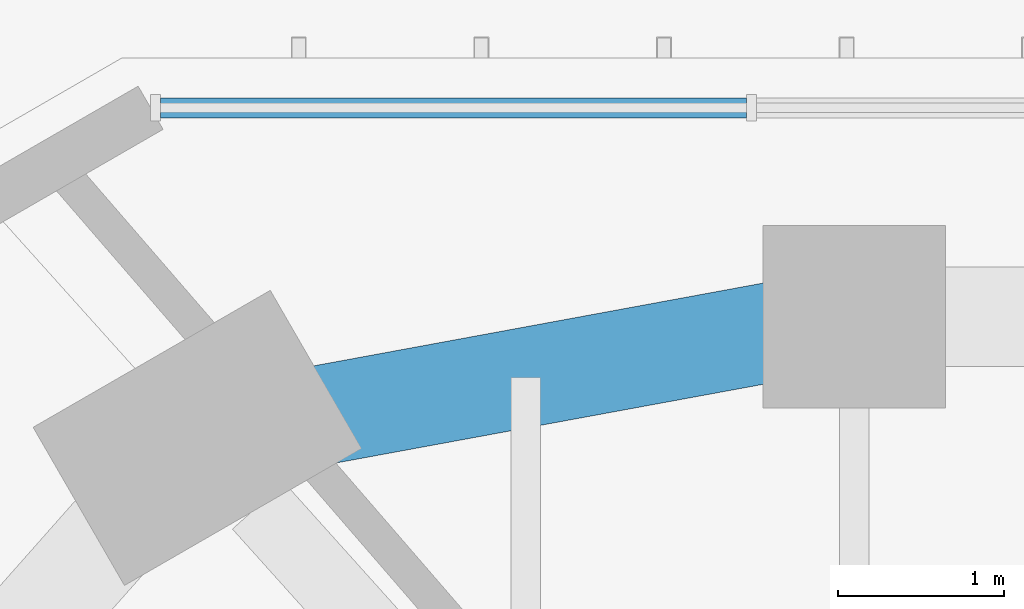
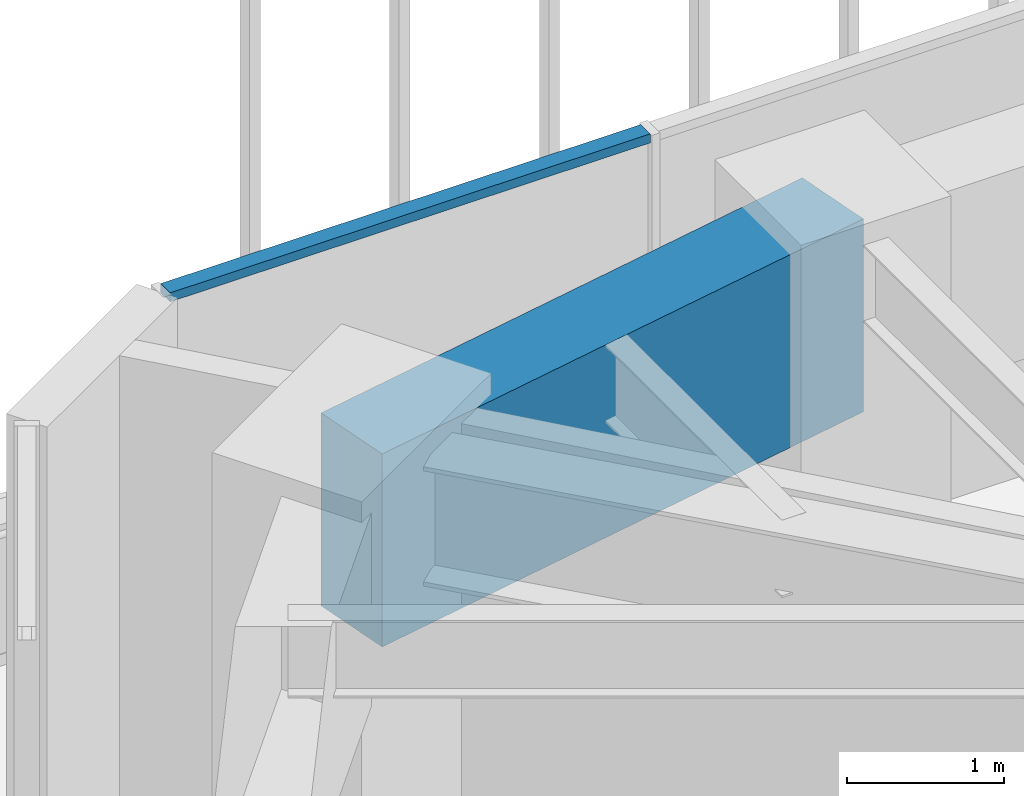
# One storey, part 65 of 127: 1 beam, 1 member, 1 element without a shape of its own.
"""IFC4 building model written with IfcOpenShell, lengths in metres."""

from ifc_helpers import new_model, si_unit, direction, frame, origin, origin_2d, place, context, subcontext, project, spatial, rectangle, extrude, material, material_profile, profile_set, type_object, element, aggregate, save


model = new_model("IFC4")

# Units and contexts
model_context = context("Model", 3, precision=1e-05, world=origin(), true_north=direction((0.0, 1.0)))
body_context = subcontext(model_context, "Body", "Model", "MODEL_VIEW")
ifc_project = project(units=[si_unit("LENGTHUNIT", "METRE"), si_unit("AREAUNIT", "SQUARE_METRE"), si_unit("VOLUMEUNIT", "CUBIC_METRE"), si_unit("PLANEANGLEUNIT", "RADIAN"), si_unit("MASSUNIT", "GRAM", prefix="KILO")], contexts=[model_context])

# Site, building, storey
site_placement = place(None, origin())
site = spatial("IfcSite", under=ifc_project, at=site_placement, CompositionType="ELEMENT")
building_placement = place(site_placement, origin())
building = spatial("IfcBuilding", under=site, at=building_placement, Name="Sandreach Pilgrim Tower", CompositionType="ELEMENT")
storey_placement = place(building_placement, frame((0.0, 0.0, 257.0)))
storey = spatial("IfcBuildingStorey", under=building, at=storey_placement, Name="L64", CompositionType="ELEMENT", Elevation=257.0)

# Curtain wall, member
ifc_material_1 = material(Name="Aluminium framed curtain wall", Category="aluminium")
curtain_wall_type = type_object("IfcCurtainWallType", Name="Suite tower curtain wall", PredefinedType="NOTDEFINED", material=ifc_material_1)
curtain_wall_placement = place(storey_placement, origin())
curtain_wall = element("IfcCurtainWall", 1, at=curtain_wall_placement, inside=storey, type_object=curtain_wall_type, Name="CW-4 L64 N", PredefinedType="NOTDEFINED")
ifc_material_2 = material(Name="Aluminium extrusion", Category="aluminium")
ifc_material_profile_1 = material_profile(ifc_material_2, rectangle(XDim=0.1201171875, YDim=0.070068359375, at=origin_2d()), Name="CW-4T 120X70")
ifc_profile_set_1 = profile_set([ifc_material_profile_1], Name="Aluminium extrusion")
member_type = type_object("IfcMemberType", Name="CW-4 transom", PredefinedType="USERDEFINED", material=ifc_profile_set_1)
member_placement = place(storey_placement, frame((-16.23828125, 19.826416015625, 3.60498046875), z_axis=(1.0, 0.0, 0.0), x_axis=(0.0, 1.0, 0.0)))
member = element("IfcMember", 2, at=member_placement, type_object=member_type, Name="CW-4 head transom 1", ObjectType="TRANSOM", PredefinedType="USERDEFINED", context=body_context, shape_type="SweptSolid", body=[
    extrude(rectangle(XDim=0.1201171875, YDim=0.070068359375, at=origin_2d()), origin(), (0.0, 0.0, 1.0), 3.53173828125),
])
aggregate(curtain_wall, [member])

# Beam
ifc_material_3 = material(Name="Concrete 10000 psi", Category="concrete")
ifc_material_profile_2 = material_profile(ifc_material_3, rectangle(XDim=0.60009765625, YDim=1.5, at=origin_2d()), Name="RC600X1500")
ifc_profile_set_2 = profile_set([ifc_material_profile_2], Name="Concrete 10000 psi")
beam_type = type_object("IfcBeamType", Name="Spandrel beam RC600X1500", PredefinedType="SPANDREL", material=ifc_profile_set_2)
beam_placement = place(storey_placement, frame((-16.0166015625, 17.837158203125, 2.889892578125), z_axis=(0.983454894629, 0.181153167875, 0.0), x_axis=(-0.181153167875, 0.983454894629, 0.0)))
element("IfcBeam", 3, at=beam_placement, inside=storey, type_object=beam_type, Name="BM L64 SP39", PredefinedType="SPANDREL", context=body_context, shape_type="SweptSolid", body=[
    extrude(rectangle(XDim=0.60009765625, YDim=1.5, at=origin_2d()), origin(), (0.0, 0.0, 1.0), 4.025634765625),
])

save(model, "model.ifc")
